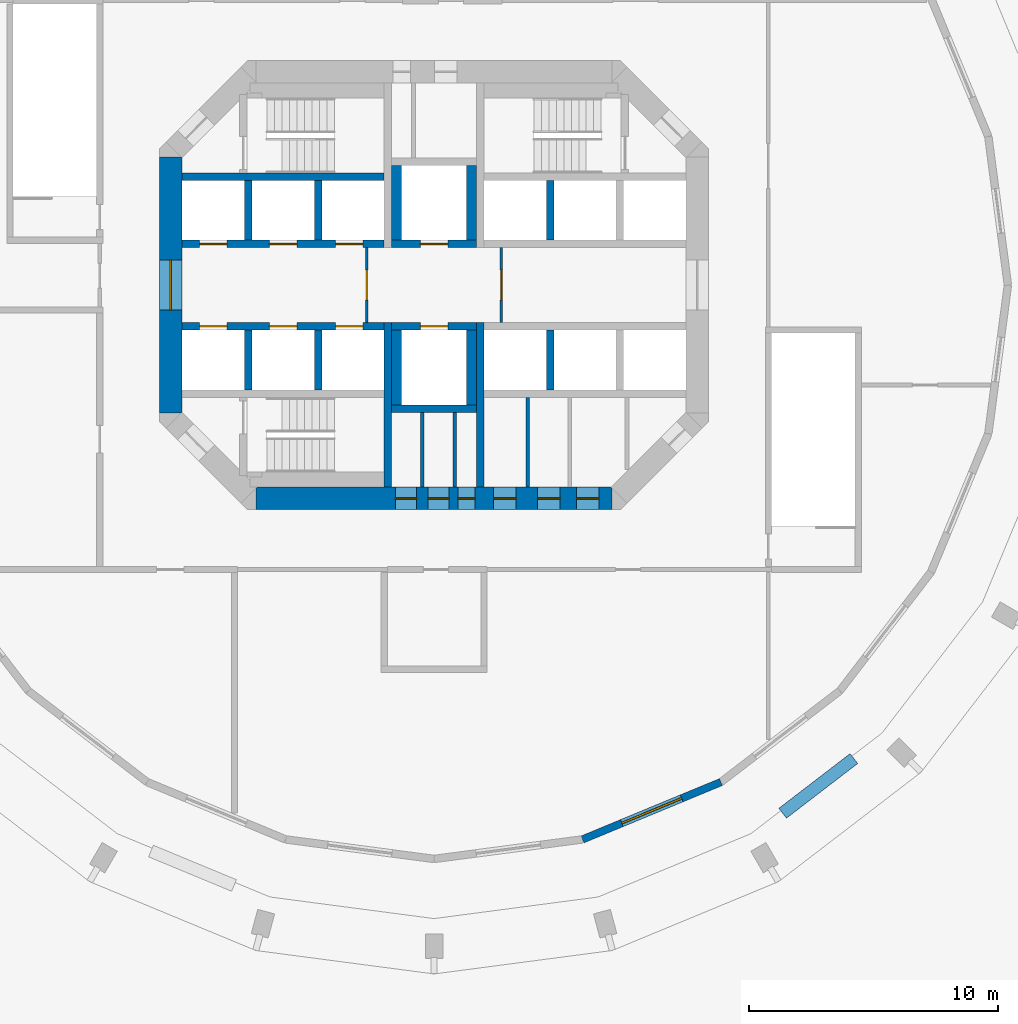
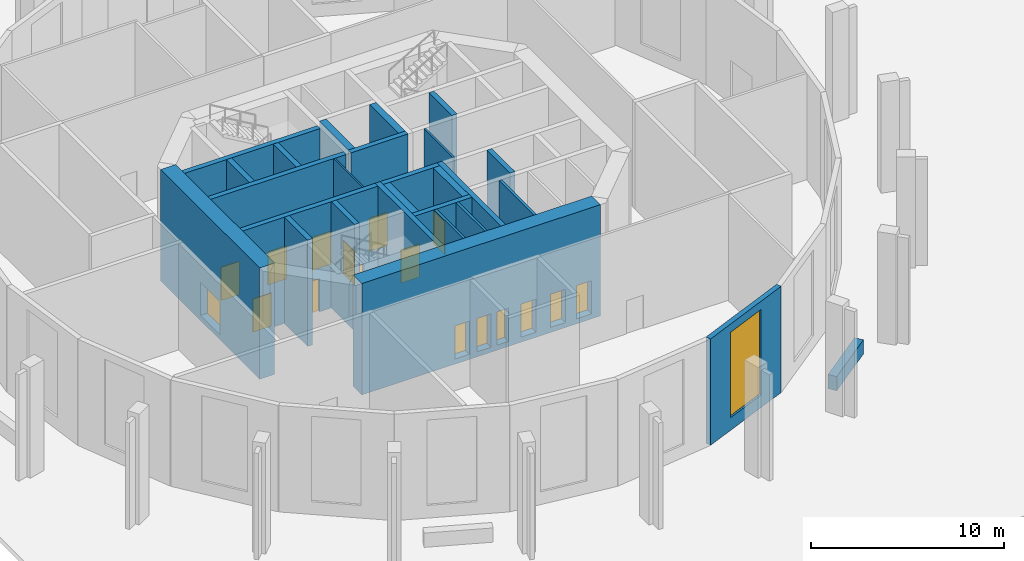
# One storey, part 3 of 7: 27 walls, 17 doors, 1 window, 18 openings.
"""IFC4 building model written with IfcOpenShell, lengths in metres."""

from ifc_helpers import new_model, si_unit, direction, frame, frame_2d, origin, place, context, subcontext, project, spatial, rectangle, extrude, material, layer, layer_set, type_object, element, fill, save


model = new_model("IFC4")

# Units and contexts
model_context = context("Model", 3, precision=1e-05, world=origin(), true_north=direction((0.0, 1.0)))
body_context = subcontext(model_context, "Body", "Model", "MODEL_VIEW")
ifc_project = project(units=[si_unit("LENGTHUNIT", "METRE"), si_unit("AREAUNIT", "SQUARE_METRE"), si_unit("VOLUMEUNIT", "CUBIC_METRE"), si_unit("PLANEANGLEUNIT", "RADIAN"), si_unit("MASSUNIT", "GRAM", prefix="KILO")], contexts=[model_context])

# Site, building, storey
site_placement = place(None, origin())
site = spatial("IfcSite", under=ifc_project, at=site_placement, CompositionType="ELEMENT")
building_placement = place(site_placement, origin())
building = spatial("IfcBuilding", under=site, at=building_placement, Name="Torre Triforio", CompositionType="ELEMENT")
storey_placement = place(building_placement, frame((0.0, 0.0, 20.0)))
storey = spatial("IfcBuildingStorey", under=building, at=storey_placement, Name="L03", CompositionType="ELEMENT", Elevation=20.0)

# Walls
ifc_material_1 = material(Name="Concrete C60", Category="concrete")
ifc_layer_1 = layer(ifc_material_1, 0.300048828125)
ifc_layer_set_1 = layer_set([ifc_layer_1], Name="Concrete C60")
wall_type_1 = type_object("IfcWallType", Name="Core wall 300 mm C60 EI 120", PredefinedType="SHEAR", material=ifc_layer_set_1)
for number, where, z_axis, x_axis, name in (
    (1, (-1.85009765625, -8.10009765625, 0.0), (0.0, 0.0, 1.0), (0.0, 1.0, 0.0), "Core wall"),
    (2, (1.85009765625, -8.10009765625, 0.0), (0.0, 0.0, 1.0), (0.0, 1.0, 0.0), "Core wall"),
):
    element("IfcWall", number, at=place(storey_placement, frame(where, z_axis=z_axis, x_axis=x_axis)), inside=storey, type_object=wall_type_1, Name=name, PredefinedType="SHEAR", context=body_context, shape_type="SweptSolid", body=[
        extrude(rectangle(XDim=6.60009765625, YDim=0.300048828125, at=frame_2d((3.300048828125, 0.0))), origin(), (0.0, 0.0, 1.0), 6.719970703125),
    ])

# Wall, openings, doors
ifc_layer_2 = layer(ifc_material_1, 0.89990234375)
ifc_layer_set_2 = layer_set([ifc_layer_2], Name="Concrete C60")
wall_type_2 = type_object("IfcWallType", Name="Core wall 900 mm C60 EI 120", PredefinedType="SHEAR", material=ifc_layer_set_2)
wall_1_placement = place(storey_placement, frame((-7.1298828125, -8.550048828125, -0.320068359375), z_axis=(0.0, 0.0, 1.0), x_axis=(1.0, 0.0, 0.0)))
wall_1 = element("IfcWall", 3, at=wall_1_placement, inside=storey, type_object=wall_type_2, Name="Core wall", PredefinedType="SHEAR", context=body_context, shape_type="SweptSolid", body=[
    extrude(rectangle(XDim=14.259765625, YDim=0.89990234375, at=frame_2d((7.1298828125, 0.0))), origin(), (0.0, 0.0, 1.0), 7.0400390625),
])
opening_1_placement = place(wall_1_placement, frame((8.080078125, 0.0, 0.320068359375)))
opening_1 = element("IfcOpeningElement", 4, at=opening_1_placement, cuts=wall_1, Name="Opening RISER-S", PredefinedType="OPENING", context=body_context, shape_type="SweptSolid", body=[
    extrude(rectangle(XDim=0.699951171875, YDim=2.10009765625, at=frame_2d((0.35009765625, 1.050048828125))), frame((0.0, 0.4599609375, 0.0), z_axis=(0.0, -1.0, 0.0), x_axis=(1.0, 0.0, 0.0)), (0.0, 0.0, 1.0), 0.919921875),
])
opening_2_placement = place(wall_1_placement, frame((5.580078125, 0.0, 0.320068359375)))
opening_2 = element("IfcOpeningElement", 5, at=opening_2_placement, cuts=wall_1, Name="Opening SW-01A", PredefinedType="OPENING", context=body_context, shape_type="SweptSolid", body=[
    extrude(rectangle(XDim=0.85009765625, YDim=2.10009765625, at=frame_2d((0.425048828125, 1.050048828125))), frame((0.0, 0.4599609375, 0.0), z_axis=(0.0, -1.0, 0.0), x_axis=(1.0, 0.0, 0.0)), (0.0, 0.0, 1.0), 0.919921875),
])
opening_3_placement = place(wall_1_placement, frame((6.8798828125, 0.0, 0.320068359375)))
opening_3 = element("IfcOpeningElement", 6, at=opening_3_placement, cuts=wall_1, Name="Opening SW-02", PredefinedType="OPENING", context=body_context, shape_type="SweptSolid", body=[
    extrude(rectangle(XDim=0.85009765625, YDim=2.10009765625, at=frame_2d((0.425048828125, 1.050048828125))), frame((0.0, 0.4599609375, 0.0), z_axis=(0.0, -1.0, 0.0), x_axis=(1.0, 0.0, 0.0)), (0.0, 0.0, 1.0), 0.919921875),
])
opening_4_placement = place(wall_1_placement, frame((9.521484375, 0.0, 0.320068359375)))
opening_4 = element("IfcOpeningElement", 7, at=opening_4_placement, cuts=wall_1, Name="Opening SE-01", PredefinedType="OPENING", context=body_context, shape_type="SweptSolid", body=[
    extrude(rectangle(XDim=0.89990234375, YDim=2.10009765625, at=frame_2d((0.449951171875, 1.050048828125))), frame((0.0, 0.4599609375, 0.0), z_axis=(0.0, -1.0, 0.0), x_axis=(1.0, 0.0, 0.0)), (0.0, 0.0, 1.0), 0.919921875),
])
opening_5_placement = place(wall_1_placement, frame((11.278076171875, 0.0, 0.320068359375)))
opening_5 = element("IfcOpeningElement", 8, at=opening_5_placement, cuts=wall_1, Name="Opening SE-02", PredefinedType="OPENING", context=body_context, shape_type="SweptSolid", body=[
    extrude(rectangle(XDim=0.89990234375, YDim=2.10009765625, at=frame_2d((0.449951171875, 1.050048828125))), frame((0.0, 0.4599609375, 0.0), z_axis=(0.0, -1.0, 0.0), x_axis=(1.0, 0.0, 0.0)), (0.0, 0.0, 1.0), 0.919921875),
])
opening_6_placement = place(wall_1_placement, frame((12.840087890625, 0.0, 0.320068359375)))
opening_6 = element("IfcOpeningElement", 9, at=opening_6_placement, cuts=wall_1, Name="Opening SE-03", PredefinedType="OPENING", context=body_context, shape_type="SweptSolid", body=[
    extrude(rectangle(XDim=0.89990234375, YDim=2.10009765625, at=frame_2d((0.449951171875, 1.050048828125))), frame((0.0, 0.4599609375, 0.0), z_axis=(0.0, -1.0, 0.0), x_axis=(1.0, 0.0, 0.0)), (0.0, 0.0, 1.0), 0.919921875),
])
ifc_material_2 = material(Name="Hollow metal fire door leaf")
door_type_1 = type_object("IfcDoorType", Name="Plant room door 900 x 2100 EI 60", OperationType="NOTDEFINED", PredefinedType="DOOR", material=ifc_material_2)
door_1_placement = place(opening_4_placement, origin())
door_1 = element("IfcDoor", 10, at=door_1_placement, inside=storey, type_object=door_type_1, Name="Core door SE-01", OperationType="SINGLE_SWING_LEFT", OverallHeight=2.10009765625, OverallWidth=0.89990234375, PredefinedType="DOOR", context=body_context, shape_type="SweptSolid", body=[
    extrude(rectangle(XDim=0.89990234375, YDim=2.10009765625, at=frame_2d((0.449951171875, 1.050048828125))), frame((0.0, 0.02490234375, 0.0), z_axis=(0.0, -1.0, 0.0), x_axis=(1.0, 0.0, 0.0)), (0.0, 0.0, 1.0), 0.050048828125),
])
fill(opening_4, door_1)
door_type_2 = type_object("IfcDoorType", Name="Riser door 700 x 2100 EI 60", OperationType="NOTDEFINED", PredefinedType="DOOR", material=ifc_material_2)
door_2_placement = place(opening_1_placement, origin())
door_2 = element("IfcDoor", 11, at=door_2_placement, inside=storey, type_object=door_type_2, Name="Core door RISER-S", OperationType="SINGLE_SWING_RIGHT", OverallHeight=2.10009765625, OverallWidth=0.699951171875, PredefinedType="DOOR", context=body_context, shape_type="SweptSolid", body=[
    extrude(rectangle(XDim=0.699951171875, YDim=2.10009765625, at=frame_2d((0.35009765625, 1.050048828125))), frame((0.0, 0.02490234375, 0.0), z_axis=(0.0, -1.0, 0.0), x_axis=(1.0, 0.0, 0.0)), (0.0, 0.0, 1.0), 0.050048828125),
])
fill(opening_1, door_2)
door_type_3 = type_object("IfcDoorType", Name="Room door 850 x 2100 EI 60", OperationType="NOTDEFINED", PredefinedType="DOOR", material=ifc_material_2)
door_3_placement = place(opening_2_placement, origin())
door_3 = element("IfcDoor", 12, at=door_3_placement, inside=storey, type_object=door_type_3, Name="Core door SW-01", OperationType="SINGLE_SWING_RIGHT", OverallHeight=2.10009765625, OverallWidth=0.85009765625, PredefinedType="DOOR", context=body_context, shape_type="SweptSolid", body=[
    extrude(rectangle(XDim=0.85009765625, YDim=2.10009765625, at=frame_2d((0.425048828125, 1.050048828125))), frame((0.0, 0.02490234375, 0.0), z_axis=(0.0, -1.0, 0.0), x_axis=(1.0, 0.0, 0.0)), (0.0, 0.0, 1.0), 0.050048828125),
])
fill(opening_2, door_3)
door_4_placement = place(opening_3_placement, origin())
door_4 = element("IfcDoor", 13, at=door_4_placement, inside=storey, type_object=door_type_3, Name="Core door SW-02", OperationType="SINGLE_SWING_LEFT", OverallHeight=2.10009765625, OverallWidth=0.85009765625, PredefinedType="DOOR", context=body_context, shape_type="SweptSolid", body=[
    extrude(rectangle(XDim=0.85009765625, YDim=2.10009765625, at=frame_2d((0.425048828125, 1.050048828125))), frame((0.0, 0.02490234375, 0.0), z_axis=(0.0, -1.0, 0.0), x_axis=(1.0, 0.0, 0.0)), (0.0, 0.0, 1.0), 0.050048828125),
])
fill(opening_3, door_4)
door_type_4 = type_object("IfcDoorType", Name="Room door 900 x 2100 EI 60", OperationType="NOTDEFINED", PredefinedType="DOOR", material=ifc_material_2)
door_5_placement = place(opening_5_placement, origin())
door_5 = element("IfcDoor", 14, at=door_5_placement, inside=storey, type_object=door_type_4, Name="Core door SE-02", OperationType="SINGLE_SWING_LEFT", OverallHeight=2.10009765625, OverallWidth=0.89990234375, PredefinedType="DOOR", context=body_context, shape_type="SweptSolid", body=[
    extrude(rectangle(XDim=0.89990234375, YDim=2.10009765625, at=frame_2d((0.449951171875, 1.050048828125))), frame((0.0, 0.02490234375, 0.0), z_axis=(0.0, -1.0, 0.0), x_axis=(1.0, 0.0, 0.0)), (0.0, 0.0, 1.0), 0.050048828125),
])
fill(opening_5, door_5)
door_6_placement = place(opening_6_placement, origin())
door_6 = element("IfcDoor", 15, at=door_6_placement, inside=storey, type_object=door_type_4, Name="Core door SE-03", OperationType="SINGLE_SWING_LEFT", OverallHeight=2.10009765625, OverallWidth=0.89990234375, PredefinedType="DOOR", context=body_context, shape_type="SweptSolid", body=[
    extrude(rectangle(XDim=0.89990234375, YDim=2.10009765625, at=frame_2d((0.449951171875, 1.050048828125))), frame((0.0, 0.02490234375, 0.0), z_axis=(0.0, -1.0, 0.0), x_axis=(1.0, 0.0, 0.0)), (0.0, 0.0, 1.0), 0.050048828125),
])
fill(opening_6, door_6)

# Wall, opening, door
wall_2_placement = place(storey_placement, frame((-10.550048828125, -5.1298828125, -0.320068359375), z_axis=(0.0, 0.0, 1.0), x_axis=(0.0, 1.0, 0.0)))
wall_2 = element("IfcWall", 16, at=wall_2_placement, inside=storey, type_object=wall_type_2, Name="Core wall", PredefinedType="SHEAR", context=body_context, shape_type="SweptSolid", body=[
    extrude(rectangle(XDim=10.259765625, YDim=0.89990234375, at=frame_2d((5.1298828125, 0.0))), origin(), (0.0, 0.0, 1.0), 7.0400390625),
])
opening_7_placement = place(wall_2_placement, frame((4.1298828125, 0.0, 0.320068359375)))
opening_7 = element("IfcOpeningElement", 17, at=opening_7_placement, cuts=wall_2, Name="Opening W-RING", PredefinedType="OPENING", context=body_context, shape_type="SweptSolid", body=[
    extrude(rectangle(XDim=2.0, YDim=2.10009765625, at=frame_2d((1.0, 1.050048828125))), frame((0.0, 0.4599609375, 0.0), z_axis=(0.0, -1.0, 0.0), x_axis=(1.0, 0.0, 0.0)), (0.0, 0.0, 1.0), 0.919921875),
])
door_type_5 = type_object("IfcDoorType", Name="Lobby door 2000 x 2100 EI 60", OperationType="DOUBLE_DOOR_SINGLE_SWING", PredefinedType="DOOR", material=ifc_material_2)
door_7_placement = place(opening_7_placement, origin())
door_7 = element("IfcDoor", 18, at=door_7_placement, inside=storey, type_object=door_type_5, Name="Core door W-RING", OperationType="DOUBLE_DOOR_SINGLE_SWING", OverallHeight=2.10009765625, OverallWidth=2.0, PredefinedType="DOOR", context=body_context, shape_type="SweptSolid", body=[
    extrude(rectangle(XDim=2.0, YDim=2.10009765625, at=frame_2d((1.0, 1.050048828125))), frame((0.0, 0.02490234375, 0.0), z_axis=(0.0, -1.0, 0.0), x_axis=(1.0, 0.0, 0.0)), (0.0, 0.0, 1.0), 0.050048828125),
])
fill(opening_7, door_7)

ifc_material_3 = material(Name="Block and board partition")
ifc_layer_3 = layer(ifc_material_3, 0.10009765625)
ifc_layer_set_3 = layer_set([ifc_layer_3], Name="Block and board partition")
wall_type_3 = type_object("IfcWallType", Name="Partition 100 mm EI 120", PredefinedType="PARTITIONING", material=ifc_layer_set_3)
wall_3_placement = place(storey_placement, frame((-2.699951171875, -1.5, 0.0), z_axis=(0.0, 0.0, 1.0), x_axis=(0.0, 1.0, 0.0)))
wall_3 = element("IfcWall", 19, at=wall_3_placement, inside=storey, type_object=wall_type_3, Name="Partition", PredefinedType="PARTITIONING", context=body_context, shape_type="SweptSolid", body=[
    extrude(rectangle(XDim=3.0, YDim=0.10009765625, at=frame_2d((1.5, 0.0))), origin(), (0.0, 0.0, 1.0), 6.719970703125),
])
opening_8_placement = place(wall_3_placement, frame((0.89990234375, 0.0, 0.0)))
opening_8 = element("IfcOpeningElement", 20, at=opening_8_placement, cuts=wall_3, Name="Opening FF-W", PredefinedType="OPENING", context=body_context, shape_type="SweptSolid", body=[
    extrude(rectangle(XDim=1.199951171875, YDim=2.10009765625, at=frame_2d((0.60009765625, 1.050048828125))), frame((0.0, 0.06005859375, 0.0), z_axis=(0.0, -1.0, 0.0), x_axis=(1.0, 0.0, 0.0)), (0.0, 0.0, 1.0), 0.1201171875),
])
door_type_6 = type_object("IfcDoorType", Name="Fire-fighting lobby door 1200 x 2100 EI 60", OperationType="NOTDEFINED", PredefinedType="DOOR", material=ifc_material_2)
door_8_placement = place(opening_8_placement, origin())
door_8 = element("IfcDoor", 21, at=door_8_placement, inside=storey, type_object=door_type_6, Name="Core door FF-W", OperationType="SINGLE_SWING_RIGHT", OverallHeight=2.10009765625, OverallWidth=1.199951171875, PredefinedType="DOOR", context=body_context, shape_type="SweptSolid", body=[
    extrude(rectangle(XDim=1.199951171875, YDim=2.10009765625, at=frame_2d((0.60009765625, 1.050048828125))), frame((0.0, 0.02490234375, 0.0), z_axis=(0.0, -1.0, 0.0), x_axis=(1.0, 0.0, 0.0)), (0.0, 0.0, 1.0), 0.050048828125),
])
fill(opening_8, door_8)

wall_4_placement = place(storey_placement, frame((2.699951171875, -1.5, 0.0), z_axis=(0.0, 0.0, 1.0), x_axis=(0.0, 1.0, 0.0)))
wall_4 = element("IfcWall", 22, at=wall_4_placement, inside=storey, type_object=wall_type_3, Name="Partition", PredefinedType="PARTITIONING", context=body_context, shape_type="SweptSolid", body=[
    extrude(rectangle(XDim=3.0, YDim=0.10009765625, at=frame_2d((1.5, 0.0))), origin(), (0.0, 0.0, 1.0), 6.719970703125),
])
opening_9_placement = place(wall_4_placement, frame((0.89990234375, 0.0, 0.0)))
opening_9 = element("IfcOpeningElement", 23, at=opening_9_placement, cuts=wall_4, Name="Opening FF-E", PredefinedType="OPENING", context=body_context, shape_type="SweptSolid", body=[
    extrude(rectangle(XDim=1.199951171875, YDim=2.10009765625, at=frame_2d((0.60009765625, 1.050048828125))), frame((0.0, 0.06005859375, 0.0), z_axis=(0.0, -1.0, 0.0), x_axis=(1.0, 0.0, 0.0)), (0.0, 0.0, 1.0), 0.1201171875),
])
door_9_placement = place(opening_9_placement, origin())
door_9 = element("IfcDoor", 24, at=door_9_placement, inside=storey, type_object=door_type_6, Name="Core door FF-E", OperationType="SINGLE_SWING_RIGHT", OverallHeight=2.10009765625, OverallWidth=1.199951171875, PredefinedType="DOOR", context=body_context, shape_type="SweptSolid", body=[
    extrude(rectangle(XDim=1.199951171875, YDim=2.10009765625, at=frame_2d((0.60009765625, 1.050048828125))), frame((0.0, 0.02490234375, 0.0), z_axis=(0.0, -1.0, 0.0), x_axis=(1.0, 0.0, 0.0)), (0.0, 0.0, 1.0), 0.050048828125),
])
fill(opening_9, door_9)

# Walls
ifc_layer_4 = layer(ifc_material_3, 0.14990234375)
ifc_layer_set_4 = layer_set([ifc_layer_4], Name="Block and board partition")
wall_type_4 = type_object("IfcWallType", Name="Partition 150 mm", PredefinedType="PARTITIONING", material=ifc_layer_set_4)
wall_5_placement = place(storey_placement, frame((-0.47509765625, -8.10009765625, 0.0), z_axis=(0.0, 0.0, 1.0), x_axis=(0.0, 1.0, 0.0)))
element("IfcWall", 25, at=wall_5_placement, inside=storey, type_object=wall_type_4, Name="Partition", PredefinedType="PARTITIONING", context=body_context, shape_type="SweptSolid", body=[
    extrude(rectangle(XDim=3.0, YDim=0.14990234375, at=frame_2d((1.5, 0.0))), origin(), (0.0, 0.0, 1.0), 6.719970703125),
])
wall_6_placement = place(storey_placement, frame((3.758056640625, -8.10009765625, 0.0), z_axis=(0.0, 0.0, 1.0), x_axis=(0.0, 1.0, 0.0)))
element("IfcWall", 26, at=wall_6_placement, inside=storey, type_object=wall_type_4, Name="Partition", PredefinedType="PARTITIONING", context=body_context, shape_type="SweptSolid", body=[
    extrude(rectangle(XDim=3.60009765625, YDim=0.14990234375, at=frame_2d((1.800048828125, 0.0))), origin(), (0.0, 0.0, 1.0), 6.719970703125),
])
ifc_layer_5 = layer(ifc_material_3, 0.14990234375)
ifc_layer_set_5 = layer_set([ifc_layer_5], Name="Block and board partition")
wall_type_5 = type_object("IfcWallType", Name="Partition 150 mm EI 120", PredefinedType="PARTITIONING", material=ifc_layer_set_5)
wall_7_placement = place(storey_placement, frame((0.824951171875, -8.10009765625, 0.0), z_axis=(0.0, 0.0, 1.0), x_axis=(0.0, 1.0, 0.0)))
element("IfcWall", 27, at=wall_7_placement, inside=storey, type_object=wall_type_5, Name="Partition", PredefinedType="PARTITIONING", context=body_context, shape_type="SweptSolid", body=[
    extrude(rectangle(XDim=3.0, YDim=0.14990234375, at=frame_2d((1.5, 0.0))), origin(), (0.0, 0.0, 1.0), 6.719970703125),
])
ifc_material_4 = material(Name="Limestone cladding", Category="masonry")
ifc_layer_6 = layer(ifc_material_4, 0.10009765625)
ifc_material_5 = material(Name="Concrete C40", Category="concrete")
ifc_layer_7 = layer(ifc_material_5, 0.39990234375)
ifc_layer_set_6 = layer_set([ifc_layer_6, ifc_layer_7], Name="Limestone cladding / Concrete C40")
wall_type_6 = type_object("IfcWallType", Name="Planter wall 500", PredefinedType="PARAPET", material=ifc_layer_set_6)
wall_8_placement = place(storey_placement, frame((13.9736328125, -21.16748046875, 0.0), z_axis=(0.0, 0.0, 1.0), x_axis=(0.793359599829, 0.608753271334, 0.0)))
element("IfcWall", 28, at=wall_8_placement, inside=storey, type_object=wall_type_6, Name="Planter L03 bay 21", PredefinedType="PARAPET", context=body_context, shape_type="SweptSolid", body=[
    extrude(rectangle(XDim=3.599853515625, YDim=0.5, at=frame_2d((1.7998046875, 0.0))), origin(), (0.0, 0.0, 1.0), 0.89990234375),
])
ifc_layer_8 = layer(ifc_material_1, 0.300048828125)
ifc_layer_set_7 = layer_set([ifc_layer_8], Name="Concrete C60")
wall_type_7 = type_object("IfcWallType", Name="Shaft wall 300 mm C60 EI 120", PredefinedType="SOLIDWALL", material=ifc_layer_set_7)
wall_9_placement = place(storey_placement, frame((-10.10009765625, 4.35009765625, 0.0), z_axis=(0.0, 0.0, 1.0), x_axis=(1.0, 0.0, 0.0)))
element("IfcWall", 29, at=wall_9_placement, inside=storey, type_object=wall_type_7, Name="Shaft wall", PredefinedType="SOLIDWALL", context=body_context, shape_type="SweptSolid", body=[
    extrude(rectangle(XDim=8.10009765625, YDim=0.300048828125, at=frame_2d((4.050048828125, 0.0))), origin(), (0.0, 0.0, 1.0), 6.719970703125),
])

# Wall, openings, doors
wall_10_placement = place(storey_placement, frame((-10.10009765625, 1.64990234375, 0.0), z_axis=(0.0, 0.0, 1.0), x_axis=(1.0, 0.0, 0.0)))
wall_10 = element("IfcWall", 30, at=wall_10_placement, inside=storey, type_object=wall_type_7, Name="Shaft wall", PredefinedType="SOLIDWALL", context=body_context, shape_type="SweptSolid", body=[
    extrude(rectangle(XDim=8.10009765625, YDim=0.300048828125, at=frame_2d((4.050048828125, 0.0))), origin(), (0.0, 0.0, 1.0), 6.719970703125),
])
opening_10_placement = place(wall_10_placement, frame((0.699951171875, 0.0, 0.0)))
opening_10 = element("IfcOpeningElement", 31, at=opening_10_placement, cuts=wall_10, Name="Opening LD", PredefinedType="OPENING", context=body_context, shape_type="SweptSolid", body=[
    extrude(rectangle(XDim=1.10009765625, YDim=2.10009765625, at=frame_2d((0.550048828125, 1.050048828125))), frame((0.0, 0.159912109375, 0.0), z_axis=(0.0, -1.0, 0.0), x_axis=(1.0, 0.0, 0.0)), (0.0, 0.0, 1.0), 0.320068359375),
])
opening_11_placement = place(wall_10_placement, frame((3.5, 0.0, 0.0)))
opening_11 = element("IfcOpeningElement", 32, at=opening_11_placement, cuts=wall_10, Name="Opening LD", PredefinedType="OPENING", context=body_context, shape_type="SweptSolid", body=[
    extrude(rectangle(XDim=1.10009765625, YDim=2.10009765625, at=frame_2d((0.550048828125, 1.050048828125))), frame((0.0, 0.159912109375, 0.0), z_axis=(0.0, -1.0, 0.0), x_axis=(1.0, 0.0, 0.0)), (0.0, 0.0, 1.0), 0.320068359375),
])
opening_12_placement = place(wall_10_placement, frame((6.14990234375, 0.0, 0.0)))
opening_12 = element("IfcOpeningElement", 33, at=opening_12_placement, cuts=wall_10, Name="Opening LD", PredefinedType="OPENING", context=body_context, shape_type="SweptSolid", body=[
    extrude(rectangle(XDim=1.10009765625, YDim=2.10009765625, at=frame_2d((0.550048828125, 1.050048828125))), frame((0.0, 0.159912109375, 0.0), z_axis=(0.0, -1.0, 0.0), x_axis=(1.0, 0.0, 0.0)), (0.0, 0.0, 1.0), 0.320068359375),
])
door_type_7 = type_object("IfcDoorType", Name="Landing door 1100 x 2100 EI 60", OperationType="DOUBLE_DOOR_SLIDING", PredefinedType="DOOR", material=ifc_material_2)
door_10_placement = place(opening_10_placement, origin())
door_10 = element("IfcDoor", 34, at=door_10_placement, inside=storey, type_object=door_type_7, Name="Landing door LR1", OperationType="DOUBLE_DOOR_SLIDING", OverallHeight=2.10009765625, OverallWidth=1.10009765625, PredefinedType="DOOR", context=body_context, shape_type="SweptSolid", body=[
    extrude(rectangle(XDim=1.10009765625, YDim=2.10009765625, at=frame_2d((0.550048828125, 1.050048828125))), frame((0.0, 0.02490234375, 0.0), z_axis=(0.0, -1.0, 0.0), x_axis=(1.0, 0.0, 0.0)), (0.0, 0.0, 1.0), 0.050048828125),
])
fill(opening_10, door_10)
door_11_placement = place(opening_11_placement, origin())
door_11 = element("IfcDoor", 35, at=door_11_placement, inside=storey, type_object=door_type_7, Name="Landing door LR2", OperationType="DOUBLE_DOOR_SLIDING", OverallHeight=2.10009765625, OverallWidth=1.10009765625, PredefinedType="DOOR", context=body_context, shape_type="SweptSolid", body=[
    extrude(rectangle(XDim=1.10009765625, YDim=2.10009765625, at=frame_2d((0.550048828125, 1.050048828125))), frame((0.0, 0.02490234375, 0.0), z_axis=(0.0, -1.0, 0.0), x_axis=(1.0, 0.0, 0.0)), (0.0, 0.0, 1.0), 0.050048828125),
])
fill(opening_11, door_11)
door_12_placement = place(opening_12_placement, origin())
door_12 = element("IfcDoor", 36, at=door_12_placement, inside=storey, type_object=door_type_7, Name="Landing door LR3", OperationType="DOUBLE_DOOR_SLIDING", OverallHeight=2.10009765625, OverallWidth=1.10009765625, PredefinedType="DOOR", context=body_context, shape_type="SweptSolid", body=[
    extrude(rectangle(XDim=1.10009765625, YDim=2.10009765625, at=frame_2d((0.550048828125, 1.050048828125))), frame((0.0, 0.02490234375, 0.0), z_axis=(0.0, -1.0, 0.0), x_axis=(1.0, 0.0, 0.0)), (0.0, 0.0, 1.0), 0.050048828125),
])
fill(opening_12, door_12)

wall_11_placement = place(storey_placement, frame((-10.10009765625, -1.64990234375, 0.0), z_axis=(0.0, 0.0, 1.0), x_axis=(1.0, 0.0, 0.0)))
wall_11 = element("IfcWall", 37, at=wall_11_placement, inside=storey, type_object=wall_type_7, Name="Shaft wall", PredefinedType="SOLIDWALL", context=body_context, shape_type="SweptSolid", body=[
    extrude(rectangle(XDim=8.10009765625, YDim=0.300048828125, at=frame_2d((4.050048828125, 0.0))), origin(), (0.0, 0.0, 1.0), 6.719970703125),
])
opening_13_placement = place(wall_11_placement, frame((0.699951171875, 0.0, 0.0)))
opening_13 = element("IfcOpeningElement", 38, at=opening_13_placement, cuts=wall_11, Name="Opening LD", PredefinedType="OPENING", context=body_context, shape_type="SweptSolid", body=[
    extrude(rectangle(XDim=1.10009765625, YDim=2.10009765625, at=frame_2d((0.550048828125, 1.050048828125))), frame((0.0, 0.159912109375, 0.0), z_axis=(0.0, -1.0, 0.0), x_axis=(1.0, 0.0, 0.0)), (0.0, 0.0, 1.0), 0.320068359375),
])
opening_14_placement = place(wall_11_placement, frame((3.5, 0.0, 0.0)))
opening_14 = element("IfcOpeningElement", 39, at=opening_14_placement, cuts=wall_11, Name="Opening LD", PredefinedType="OPENING", context=body_context, shape_type="SweptSolid", body=[
    extrude(rectangle(XDim=1.10009765625, YDim=2.10009765625, at=frame_2d((0.550048828125, 1.050048828125))), frame((0.0, 0.159912109375, 0.0), z_axis=(0.0, -1.0, 0.0), x_axis=(1.0, 0.0, 0.0)), (0.0, 0.0, 1.0), 0.320068359375),
])
opening_15_placement = place(wall_11_placement, frame((6.14990234375, 0.0, 0.0)))
opening_15 = element("IfcOpeningElement", 40, at=opening_15_placement, cuts=wall_11, Name="Opening LD", PredefinedType="OPENING", context=body_context, shape_type="SweptSolid", body=[
    extrude(rectangle(XDim=1.10009765625, YDim=2.10009765625, at=frame_2d((0.550048828125, 1.050048828125))), frame((0.0, 0.159912109375, 0.0), z_axis=(0.0, -1.0, 0.0), x_axis=(1.0, 0.0, 0.0)), (0.0, 0.0, 1.0), 0.320068359375),
])
door_13_placement = place(opening_13_placement, origin())
door_13 = element("IfcDoor", 41, at=door_13_placement, inside=storey, type_object=door_type_7, Name="Landing door LR4", OperationType="DOUBLE_DOOR_SLIDING", OverallHeight=2.10009765625, OverallWidth=1.10009765625, PredefinedType="DOOR", context=body_context, shape_type="SweptSolid", body=[
    extrude(rectangle(XDim=1.10009765625, YDim=2.10009765625, at=frame_2d((0.550048828125, 1.050048828125))), frame((0.0, 0.02490234375, 0.0), z_axis=(0.0, -1.0, 0.0), x_axis=(1.0, 0.0, 0.0)), (0.0, 0.0, 1.0), 0.050048828125),
])
fill(opening_13, door_13)
door_14_placement = place(opening_14_placement, origin())
door_14 = element("IfcDoor", 42, at=door_14_placement, inside=storey, type_object=door_type_7, Name="Landing door LR5", OperationType="DOUBLE_DOOR_SLIDING", OverallHeight=2.10009765625, OverallWidth=1.10009765625, PredefinedType="DOOR", context=body_context, shape_type="SweptSolid", body=[
    extrude(rectangle(XDim=1.10009765625, YDim=2.10009765625, at=frame_2d((0.550048828125, 1.050048828125))), frame((0.0, 0.02490234375, 0.0), z_axis=(0.0, -1.0, 0.0), x_axis=(1.0, 0.0, 0.0)), (0.0, 0.0, 1.0), 0.050048828125),
])
fill(opening_14, door_14)
door_15_placement = place(opening_15_placement, origin())
door_15 = element("IfcDoor", 43, at=door_15_placement, inside=storey, type_object=door_type_7, Name="Landing door LR6", OperationType="DOUBLE_DOOR_SLIDING", OverallHeight=2.10009765625, OverallWidth=1.10009765625, PredefinedType="DOOR", context=body_context, shape_type="SweptSolid", body=[
    extrude(rectangle(XDim=1.10009765625, YDim=2.10009765625, at=frame_2d((0.550048828125, 1.050048828125))), frame((0.0, 0.02490234375, 0.0), z_axis=(0.0, -1.0, 0.0), x_axis=(1.0, 0.0, 0.0)), (0.0, 0.0, 1.0), 0.050048828125),
])
fill(opening_15, door_15)

# Walls
for number, where, z_axis, x_axis, name in (
    (44, (-7.449951171875, 1.800048828125, 0.0), (0.0, 0.0, 1.0), (0.0, 1.0, 0.0), "Shaft wall"),
    (45, (-7.449951171875, -4.199951171875, 0.0), (0.0, 0.0, 1.0), (0.0, 1.0, 0.0), "Shaft wall"),
    (46, (-4.64990234375, 1.800048828125, 0.0), (0.0, 0.0, 1.0), (0.0, 1.0, 0.0), "Shaft wall"),
    (47, (-4.64990234375, -4.199951171875, 0.0), (0.0, 0.0, 1.0), (0.0, 1.0, 0.0), "Shaft wall"),
    (48, (4.64990234375, 1.800048828125, 0.0), (0.0, 0.0, 1.0), (0.0, 1.0, 0.0), "Shaft wall"),
    (49, (4.64990234375, -4.199951171875, 0.0), (0.0, 0.0, 1.0), (0.0, 1.0, 0.0), "Shaft wall"),
):
    element("IfcWall", number, at=place(storey_placement, frame(where, z_axis=z_axis, x_axis=x_axis)), inside=storey, type_object=wall_type_7, Name=name, PredefinedType="SOLIDWALL", context=body_context, shape_type="SweptSolid", body=[
        extrude(rectangle(XDim=2.39990234375, YDim=0.300048828125, at=frame_2d((1.199951171875, 0.0))), origin(), (0.0, 0.0, 1.0), 6.719970703125),
    ])

# Wall, opening, door
wall_12_placement = place(storey_placement, frame((-1.699951171875, 1.64990234375, 0.0), z_axis=(0.0, 0.0, 1.0), x_axis=(1.0, 0.0, 0.0)))
wall_12 = element("IfcWall", 50, at=wall_12_placement, inside=storey, type_object=wall_type_7, Name="Shaft wall", PredefinedType="SOLIDWALL", context=body_context, shape_type="SweptSolid", body=[
    extrude(rectangle(XDim=3.39990234375, YDim=0.300048828125, at=frame_2d((1.699951171875, 0.0))), origin(), (0.0, 0.0, 1.0), 6.719970703125),
])
opening_16_placement = place(wall_12_placement, frame((1.14990234375, 0.0, 0.0)))
opening_16 = element("IfcOpeningElement", 51, at=opening_16_placement, cuts=wall_12, Name="Opening LD", PredefinedType="OPENING", context=body_context, shape_type="SweptSolid", body=[
    extrude(rectangle(XDim=1.10009765625, YDim=2.10009765625, at=frame_2d((0.550048828125, 1.050048828125))), frame((0.0, 0.159912109375, 0.0), z_axis=(0.0, -1.0, 0.0), x_axis=(1.0, 0.0, 0.0)), (0.0, 0.0, 1.0), 0.320068359375),
])
door_16_placement = place(opening_16_placement, origin())
door_16 = element("IfcDoor", 52, at=door_16_placement, inside=storey, type_object=door_type_7, Name="Landing door FFL1", OperationType="DOUBLE_DOOR_SLIDING", OverallHeight=2.10009765625, OverallWidth=1.10009765625, PredefinedType="DOOR", context=body_context, shape_type="SweptSolid", body=[
    extrude(rectangle(XDim=1.10009765625, YDim=2.10009765625, at=frame_2d((0.550048828125, 1.050048828125))), frame((0.0, 0.02490234375, 0.0), z_axis=(0.0, -1.0, 0.0), x_axis=(1.0, 0.0, 0.0)), (0.0, 0.0, 1.0), 0.050048828125),
])
fill(opening_16, door_16)

wall_13_placement = place(storey_placement, frame((-1.699951171875, -1.64990234375, 0.0), z_axis=(0.0, 0.0, 1.0), x_axis=(1.0, 0.0, 0.0)))
wall_13 = element("IfcWall", 53, at=wall_13_placement, inside=storey, type_object=wall_type_7, Name="Shaft wall", PredefinedType="SOLIDWALL", context=body_context, shape_type="SweptSolid", body=[
    extrude(rectangle(XDim=3.39990234375, YDim=0.300048828125, at=frame_2d((1.699951171875, 0.0))), origin(), (0.0, 0.0, 1.0), 6.719970703125),
])
opening_17_placement = place(wall_13_placement, frame((1.14990234375, 0.0, 0.0)))
opening_17 = element("IfcOpeningElement", 54, at=opening_17_placement, cuts=wall_13, Name="Opening LD", PredefinedType="OPENING", context=body_context, shape_type="SweptSolid", body=[
    extrude(rectangle(XDim=1.10009765625, YDim=2.10009765625, at=frame_2d((0.550048828125, 1.050048828125))), frame((0.0, 0.159912109375, 0.0), z_axis=(0.0, -1.0, 0.0), x_axis=(1.0, 0.0, 0.0)), (0.0, 0.0, 1.0), 0.320068359375),
])
door_17_placement = place(opening_17_placement, origin())
door_17 = element("IfcDoor", 55, at=door_17_placement, inside=storey, type_object=door_type_7, Name="Landing door FFL2", OperationType="DOUBLE_DOOR_SLIDING", OverallHeight=2.10009765625, OverallWidth=1.10009765625, PredefinedType="DOOR", context=body_context, shape_type="SweptSolid", body=[
    extrude(rectangle(XDim=1.10009765625, YDim=2.10009765625, at=frame_2d((0.550048828125, 1.050048828125))), frame((0.0, 0.02490234375, 0.0), z_axis=(0.0, -1.0, 0.0), x_axis=(1.0, 0.0, 0.0)), (0.0, 0.0, 1.0), 0.050048828125),
])
fill(opening_17, door_17)

# Walls
wall_14_placement = place(storey_placement, frame((-1.699951171875, -4.949951171875, 0.0), z_axis=(0.0, 0.0, 1.0), x_axis=(1.0, 0.0, 0.0)))
element("IfcWall", 56, at=wall_14_placement, inside=storey, type_object=wall_type_7, Name="Shaft wall", PredefinedType="SOLIDWALL", context=body_context, shape_type="SweptSolid", body=[
    extrude(rectangle(XDim=3.39990234375, YDim=0.300048828125, at=frame_2d((1.699951171875, 0.0))), origin(), (0.0, 0.0, 1.0), 6.719970703125),
])
ifc_layer_9 = layer(ifc_material_1, 0.39990234375)
ifc_layer_set_8 = layer_set([ifc_layer_9], Name="Concrete C60")
wall_type_8 = type_object("IfcWallType", Name="Shaft wall 400 mm C60 EI 120", PredefinedType="SOLIDWALL", material=ifc_layer_set_8)
for number, where, z_axis, x_axis, name in (
    (57, (-1.5, 1.800048828125, 0.0), (0.0, 0.0, 1.0), (0.0, 1.0, 0.0), "Shaft wall"),
    (58, (-1.5, -4.800048828125, 0.0), (0.0, 0.0, 1.0), (0.0, 1.0, 0.0), "Shaft wall"),
    (59, (1.5, 1.800048828125, 0.0), (0.0, 0.0, 1.0), (0.0, 1.0, 0.0), "Shaft wall"),
    (60, (1.5, -4.800048828125, 0.0), (0.0, 0.0, 1.0), (0.0, 1.0, 0.0), "Shaft wall"),
):
    element("IfcWall", number, at=place(storey_placement, frame(where, z_axis=z_axis, x_axis=x_axis)), inside=storey, type_object=wall_type_8, Name=name, PredefinedType="SOLIDWALL", context=body_context, shape_type="SweptSolid", body=[
        extrude(rectangle(XDim=3.0, YDim=0.39990234375, at=frame_2d((1.5, 0.0))), origin(), (0.0, 0.0, 1.0), 6.719970703125),
    ])

# Wall, opening, window
ifc_layer_10 = layer(ifc_material_4, 0.10009765625)
ifc_layer_11 = layer(ifc_material_5, 0.199951171875)
ifc_layer_set_9 = layer_set([ifc_layer_10, ifc_layer_11], Name="Limestone cladding / Concrete C40")
wall_type_9 = type_object("IfcWallType", Name="Stone-faced composite wall 300", PredefinedType="STANDARD", material=ifc_layer_set_9)
wall_15_placement = place(storey_placement, frame((5.952880859375, -22.21630859375, 0.0), z_axis=(0.0, 0.0, 1.0), x_axis=(0.923884511653, 0.382671411433, 0.0)))
wall_15 = element("IfcWall", 61, at=wall_15_placement, inside=storey, type_object=wall_type_9, Name="External wall L03 bay 20", PredefinedType="STANDARD", context=body_context, shape_type="SweptSolid", body=[
    extrude(rectangle(XDim=6.004150390625, YDim=0.300048828125, at=frame_2d((3.001953125, 0.0))), origin(), (0.0, 0.0, 1.0), 6.719970703125),
])
opening_18_placement = place(wall_15_placement, frame((1.7021484375, 0.0, 0.800048828125)))
opening_18 = element("IfcOpeningElement", 62, at=opening_18_placement, cuts=wall_15, Name="Opening P3-W20", PredefinedType="OPENING", context=body_context, shape_type="SweptSolid", body=[
    extrude(rectangle(XDim=2.60009765625, YDim=5.39990234375, at=frame_2d((1.300048828125, 2.699951171875))), frame((0.0, 0.159912109375, 0.0), z_axis=(0.0, -1.0, 0.0), x_axis=(1.0, 0.0, 0.0)), (0.0, 0.0, 1.0), 0.320068359375),
])
ifc_material_6 = material(Name="Aluminium frame with clear double glazing", Category="aluminium")
window_type = type_object("IfcWindowType", Name="Punched window 2600 x 5400", PartitioningType="DOUBLE_PANEL_VERTICAL", PredefinedType="WINDOW", material=ifc_material_6)
window_placement = place(opening_18_placement, origin())
window = element("IfcWindow", 63, at=window_placement, inside=storey, type_object=window_type, Name="Window EWN1 L03 bay 20", OverallHeight=5.39990234375, OverallWidth=2.60009765625, PartitioningType="SINGLE_PANEL", PredefinedType="WINDOW", context=body_context, shape_type="SweptSolid", body=[
    extrude(rectangle(XDim=2.60009765625, YDim=5.39990234375, at=frame_2d((1.300048828125, 2.699951171875))), frame((0.0, 0.030029296875, 0.0), z_axis=(0.0, -1.0, 0.0), x_axis=(1.0, 0.0, 0.0)), (0.0, 0.0, 1.0), 0.06005859375),
])
fill(opening_18, window)

save(model, "model.ifc")
